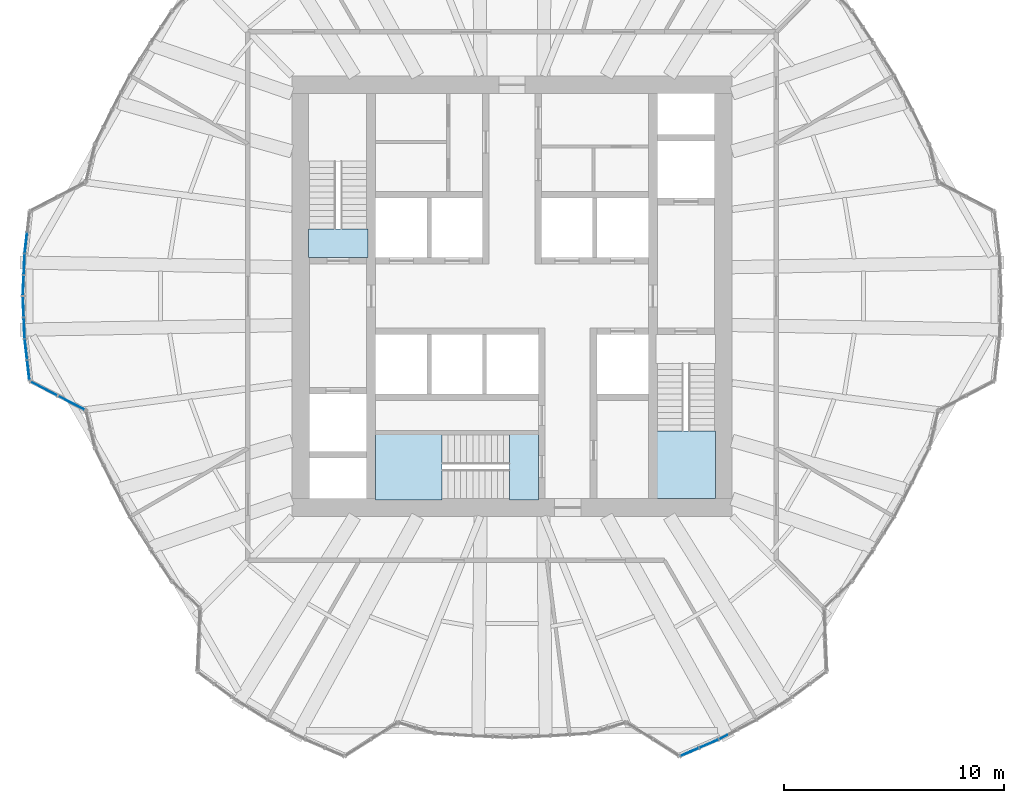
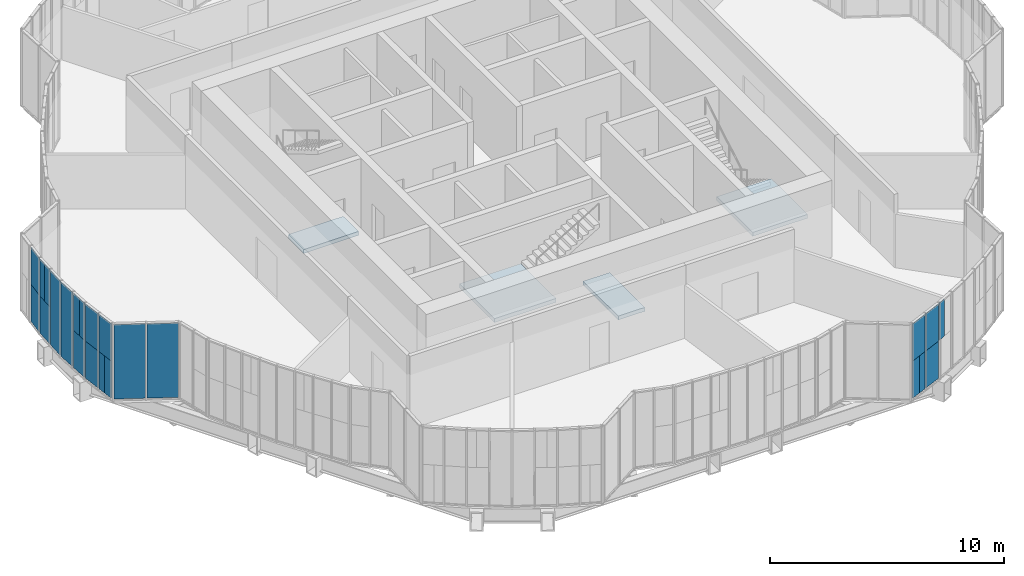
# One storey, part 14 of 24: 23 plates, 4 slabs, 9 elements without a shape of their own.
"""IFC4 building model written with IfcOpenShell, lengths in metres."""

import ifcopenshell
import ifcopenshell.guid

model = None  # the IFC model being written
_history = None  # IfcOwnerHistory: only IFC2X3 demands one
_inside = {}  # id of a spatial element -> (the spatial element, [elements in it])
_under = {}  # id of a project, library or spatial element -> (it, [spatial elements below it])
_declared = {}  # id of a project -> (the project, [libraries it declares])
_typed = {}  # id of a type object -> (the type object, [elements of that type])
_made_of = {}  # id of a material, layer set ... -> (it, [elements and type objects made of it])


def new_model(schema):
    """Start an empty IFC model of exactly this schema.

    Asked for "IFC4X3", IfcOpenShell would pick the latest addendum, in which some entities
    have other attributes; the version numbers below select the first issue.
    IFC2X3 requires an IfcOwnerHistory on every rooted entity: one is made here for all.
    """
    global model, _history
    if schema == "IFC4X3":
        model = ifcopenshell.file(schema_version=(4, 3, 0, 0))
    else:
        model = ifcopenshell.file(schema=schema)
    _inside.clear()
    _under.clear()
    _declared.clear()
    _typed.clear()
    _made_of.clear()
    _history = None
    if model.schema == "IFC2X3":
        org = make("IfcOrganization", Name="unknown")
        user = make(
            "IfcPersonAndOrganization",
            ThePerson=make("IfcPerson", FamilyName="unknown"),
            TheOrganization=org,
        )
        app = make(
            "IfcApplication",
            ApplicationDeveloper=org,
            Version="unknown",
            ApplicationFullName="unknown",
            ApplicationIdentifier="unknown",
        )
        _history = make(
            "IfcOwnerHistory",
            OwningUser=user,
            OwningApplication=app,
            ChangeAction="ADDED",
            CreationDate=0,
        )
    return model


def make(cls, **values):
    """One entity of the class cls with the attributes given. An attribute that is None is left unset."""
    return model.create_entity(
        cls, **{name: value for name, value in values.items() if value is not None}
    )


def rooted(cls, **values):
    """An entity with a GlobalId (a new one), such as an element, a storey or a relation."""
    return make(cls, GlobalId=ifcopenshell.guid.new(), OwnerHistory=_history, **values)


def si_unit(unit_type, name, prefix=None):
    """IfcSIUnit, for example si_unit("LENGTHUNIT", "METRE", prefix="MILLI")."""
    return make("IfcSIUnit", UnitType=unit_type, Prefix=prefix, Name=name)


def assignment(units):
    """IfcUnitAssignment: the units of a project."""
    return None if units is None else make("IfcUnitAssignment", Units=units)


def point(xyz):
    """IfcCartesianPoint."""
    return None if xyz is None else make("IfcCartesianPoint", Coordinates=xyz)


def direction(xyz):
    """IfcDirection."""
    return None if xyz is None else make("IfcDirection", DirectionRatios=xyz)


def frame(location, z_axis=None, x_axis=None):
    """IfcAxis2Placement3D, a coordinate frame: its origin and axes. An axis left out is left unset."""
    return make(
        "IfcAxis2Placement3D",
        Location=point(location),
        Axis=direction(z_axis),
        RefDirection=direction(x_axis),
    )


def frame_2d(location, x_axis=None):
    """IfcAxis2Placement2D, a coordinate frame in the plane: its origin and x axis."""
    return make(
        "IfcAxis2Placement2D", Location=point(location), RefDirection=direction(x_axis)
    )


def origin():
    """The frame at (0, 0, 0) with its axes left unset."""
    return frame((0.0, 0.0, 0.0))


def origin_2d():
    """The frame at (0, 0) in the plane with its x axis left unset."""
    return frame_2d((0.0, 0.0))


def place(relative_to, where):
    """IfcLocalPlacement: puts the frame where relative to a parent placement (None: the world)."""
    return make(
        "IfcLocalPlacement", PlacementRelTo=relative_to, RelativePlacement=where
    )


def context(
    kind, dimensions, precision=None, world=None, true_north=None, identifier=None
):
    """IfcGeometricRepresentationContext, for example the 3D "Model" context."""
    return make(
        "IfcGeometricRepresentationContext",
        ContextIdentifier=identifier,
        ContextType=kind,
        CoordinateSpaceDimension=dimensions,
        Precision=precision,
        WorldCoordinateSystem=world,
        TrueNorth=true_north,
    )


def subcontext(parent, identifier, kind, view, scale=None):
    """IfcGeometricRepresentationSubContext, for example "Body" below "Model"."""
    return make(
        "IfcGeometricRepresentationSubContext",
        ContextIdentifier=identifier,
        ContextType=kind,
        ParentContext=parent,
        TargetScale=scale,
        TargetView=view,
    )


def project(units=None, contexts=None):
    """IfcProject with its units and contexts."""
    return rooted(
        "IfcProject",
        Name="project",
        RepresentationContexts=contexts,
        UnitsInContext=assignment(units),
    )


def spatial(cls, under=None, at=None, **own):
    """A site, building, storey or space (cls), placed at a placement, below another one or the project."""
    s = rooted(cls, ObjectPlacement=at, **own)
    if under is not None:
        _under.setdefault(under.id(), (under, []))[1].append(s)
    return s


def polyline(points):
    """IfcPolyline through the points."""
    return make("IfcPolyline", Points=[point(p) for p in points])


def profile(cls, at=None, kind="AREA", **sizes):
    """A parametric profile (cls). Its sizes go by their IFC names, for example OverallWidth=200.0."""
    return make(cls, ProfileType=kind, Position=at, **sizes)


def rectangle(**sizes):
    """IfcRectangleProfileDef."""
    return profile("IfcRectangleProfileDef", **sizes)


def outline(outer, holes=None, kind="AREA"):
    """IfcArbitraryClosedProfileDef: a profile drawn as a closed curve; with holes, ...WithVoids."""
    if holes is None:
        return make("IfcArbitraryClosedProfileDef", ProfileType=kind, OuterCurve=outer)
    return make(
        "IfcArbitraryProfileDefWithVoids",
        ProfileType=kind,
        OuterCurve=outer,
        InnerCurves=holes,
    )


def extrude(swept, where, along, depth):
    """IfcExtrudedAreaSolid: the profile swept, set in the frame where, extruded along a direction by depth."""
    return make(
        "IfcExtrudedAreaSolid",
        SweptArea=swept,
        Position=where,
        ExtrudedDirection=direction(along),
        Depth=depth,
    )


def shape(context_of_items, identifier, shape_type, items):
    """IfcShapeRepresentation: the items that make up one representation, for example the "Body"."""
    return make(
        "IfcShapeRepresentation",
        ContextOfItems=context_of_items,
        RepresentationIdentifier=identifier,
        RepresentationType=shape_type,
        Items=items,
    )


def material(Name=None, Category=None):
    """IfcMaterial."""
    return make("IfcMaterial", Name=Name, Category=Category)


def layer(
    of_material, thickness, ventilated=None, Name=None, Category=None, Priority=None
):
    """IfcMaterialLayer: one layer of a wall or slab, of a material (None: an air gap)."""
    return make(
        "IfcMaterialLayer",
        Material=of_material,
        LayerThickness=thickness,
        IsVentilated=ventilated,
        Name=Name,
        Category=Category,
        Priority=Priority,
    )


def layer_set(layers, Name=None):
    """IfcMaterialLayerSet."""
    return make("IfcMaterialLayerSet", MaterialLayers=layers, LayerSetName=Name)


def made_of(thing, what):
    """Note that an element or type object is made of a material, layer set ...; save() writes the relation."""
    if what is not None:
        _made_of.setdefault(what.id(), (what, []))[1].append(thing)
    return thing


def type_object(cls, material=None, **own):
    """A type object (cls), such as IfcWallType, which elements share."""
    return made_of(rooted(cls, **own), material)


def element(
    cls,
    number,
    at=None,
    inside=None,
    cuts=None,
    type_object=None,
    material=None,
    context=None,
    identifier="Body",
    shape_type=None,
    held_by="IfcProductDefinitionShape",
    body=None,
    shapes=None,
    **own,
):
    """One element of the class cls, such as IfcWall. Its Tag is "e" and its number.

    at: its placement. inside: the storey or other place that contains it. cuts: it is an
    opening in that element (IfcRelVoidsElement). A single representation is given by context,
    identifier, shape_type and body (its items); several are given by shapes. held_by: the class
    of the entity that holds the representations. save() writes the other relations.
    """
    e = rooted(cls, Tag="e%d" % number, ObjectPlacement=at, **own)
    if body is not None:
        shapes = [shape(context, identifier, shape_type, body)]
    if shapes is not None:
        e.Representation = make(held_by, Representations=shapes)
    if inside is not None:
        _inside.setdefault(inside.id(), (inside, []))[1].append(e)
    if cuts is not None:
        rooted(
            "IfcRelVoidsElement", RelatingBuildingElement=cuts, RelatedOpeningElement=e
        )
    if type_object is not None:
        _typed.setdefault(type_object.id(), (type_object, []))[1].append(e)
    return made_of(e, material)


def aggregate(whole, parts):
    """IfcRelAggregates: a whole, such as a stair, and the parts it consists of."""
    return rooted("IfcRelAggregates", RelatingObject=whole, RelatedObjects=parts)


def save(model, path):
    """Write the relations noted so far, then the file.

    IfcRelAggregates (storeys below a building ...), IfcRelContainedInSpatialStructure (elements
    in a storey), IfcRelDefinesByType, IfcRelAssociatesMaterial and IfcRelDeclares: one each for
    every whole, place, type object, material and project.
    """
    for whole, parts in _under.values():
        aggregate(whole, parts)
    for where, things in _inside.values():
        rooted(
            "IfcRelContainedInSpatialStructure",
            RelatedElements=things,
            RelatingStructure=where,
        )
    for kind, things in _typed.values():
        rooted("IfcRelDefinesByType", RelatedObjects=things, RelatingType=kind)
    for what, things in _made_of.values():
        rooted("IfcRelAssociatesMaterial", RelatedObjects=things, RelatingMaterial=what)
    for by, libraries in _declared.values():
        rooted("IfcRelDeclares", RelatingContext=by, RelatedDefinitions=libraries)
    model.write(path)


model = new_model("IFC4")

# Units and contexts
model_context = context("Model", 3, precision=1e-05, world=origin(), true_north=direction((0.0, 1.0)))
body_context = subcontext(model_context, "Body", "Model", "MODEL_VIEW")
ifc_project = project(units=[si_unit("LENGTHUNIT", "METRE"), si_unit("AREAUNIT", "SQUARE_METRE"), si_unit("VOLUMEUNIT", "CUBIC_METRE"), si_unit("PLANEANGLEUNIT", "RADIAN"), si_unit("MASSUNIT", "GRAM", prefix="KILO")], contexts=[model_context])

# Site, building, storey
site_placement = place(None, origin())
site = spatial("IfcSite", under=ifc_project, at=site_placement, CompositionType="ELEMENT")
building_placement = place(site_placement, origin())
building = spatial("IfcBuilding", under=site, at=building_placement, Name="Golbaran Civic Tower", CompositionType="ELEMENT")
storey_placement = place(building_placement, frame((0.0, 0.0, 25.0)))
storey = spatial("IfcBuildingStorey", under=building, at=storey_placement, Name="L05", CompositionType="ELEMENT", Elevation=25.0)

# Curtain wall, plates
ifc_material_1 = material(Name="Aluminium and glass", Category="aluminium")
curtain_wall_type = type_object("IfcCurtainWallType", Name="INNER SKIN CURTAIN WALL", PredefinedType="NOTDEFINED", material=ifc_material_1)
curtain_wall_1_placement = place(storey_placement, origin())
curtain_wall_1 = element("IfcCurtainWall", 1, at=curtain_wall_1_placement, inside=storey, type_object=curtain_wall_type, Name="Inner skin L05 facet 36 CW1", ObjectType="INNER SKIN", PredefinedType="USERDEFINED")
ifc_material_2 = material(Name="Clear insulating glass", Category="glass")
ifc_layer_1 = layer(ifc_material_2, 0.031982421875, Name="Clear insulating glass")
ifc_layer_set_1 = layer_set([ifc_layer_1], Name="Clear insulating glass")
plate_type_1 = type_object("IfcPlateType", Name="INNER SKIN CURTAIN WALL GLAZED PANEL", PredefinedType="CURTAIN_PANEL", material=ifc_layer_set_1)
plate_1_placement = place(storey_placement, frame((-22.166259765625, 1.252685546875, 2.0), z_axis=(0.0, 0.0, 1.0), x_axis=(-0.043619387505, -0.999048221576, 0.0)))
plate_1 = element("IfcPlate", 2, at=plate_1_placement, type_object=plate_type_1, Name="CW1 panel 1.1 part 3", PredefinedType="CURTAIN_PANEL", context=body_context, shape_type="SweptSolid", body=[
    extrude(rectangle(XDim=0.504150390625, YDim=0.031982421875, at=origin_2d()), origin(), (0.0, 0.0, 1.0), 1.93505859375),
])
plate_2_placement = place(storey_placement, frame((-22.199951171875, 0.484130859375, 0.06494140625), z_axis=(0.0, 0.0, 1.0), x_axis=(-0.043619387505, -0.999048221576, 0.0)))
plate_2 = element("IfcPlate", 3, at=plate_2_placement, type_object=plate_type_1, Name="CW1 panel 2.1", PredefinedType="CURTAIN_PANEL", context=body_context, shape_type="SweptSolid", body=[
    extrude(rectangle(XDim=0.904296875, YDim=0.031982421875, at=origin_2d()), origin(), (0.0, 0.0, 1.0), 3.8701171875),
])

curtain_wall_2_placement = place(storey_placement, origin())
curtain_wall_2 = element("IfcCurtainWall", 4, at=curtain_wall_2_placement, inside=storey, type_object=curtain_wall_type, Name="Inner skin L05 facet 37 CW1", ObjectType="INNER SKIN", PredefinedType="USERDEFINED")
plate_3_placement = place(storey_placement, frame((-22.199951171875, -0.484130859375, 0.06494140625), z_axis=(0.0, 0.0, 1.0), x_axis=(0.043619387505, -0.999048221576, 0.0)))
plate_3 = element("IfcPlate", 5, at=plate_3_placement, type_object=plate_type_1, Name="CW1 panel 1.1", PredefinedType="CURTAIN_PANEL", context=body_context, shape_type="SweptSolid", body=[
    extrude(rectangle(XDim=0.904296875, YDim=0.031982421875, at=origin_2d()), origin(), (0.0, 0.0, 1.0), 3.8701171875),
])
plate_4_placement = place(storey_placement, frame((-22.166259765625, -1.251953125, 2.0), z_axis=(0.0, 0.0, 1.0), x_axis=(0.043619387505, -0.999048221576, 0.0)))
plate_4 = element("IfcPlate", 6, at=plate_4_placement, type_object=plate_type_1, Name="CW1 panel 2.1 part 2", PredefinedType="CURTAIN_PANEL", context=body_context, shape_type="SweptSolid", body=[
    extrude(rectangle(XDim=0.5029296875, YDim=0.031982421875, at=origin_2d()), origin(), (0.0, 0.0, 1.0), 1.93505859375),
])

# Curtain wall, plate
curtain_wall_3_placement = place(storey_placement, origin())
curtain_wall_3 = element("IfcCurtainWall", 7, at=curtain_wall_3_placement, inside=storey, type_object=curtain_wall_type, Name="Inner skin L05 facet 38 CW1", ObjectType="INNER SKIN", PredefinedType="USERDEFINED")
plate_5_placement = place(storey_placement, frame((-21.948486328125, -3.565185546875, 0.06494140625), z_axis=(0.0, 0.0, 1.0), x_axis=(0.114683042492, -0.993402133964, 0.0)))
plate_5 = element("IfcPlate", 8, at=plate_5_placement, type_object=plate_type_1, Name="CW1 panel 2.1 part 2", PredefinedType="CURTAIN_PANEL", context=body_context, shape_type="SweptSolid", body=[
    extrude(rectangle(XDim=0.4716796875, YDim=0.031982421875, at=origin_2d()), origin(), (0.0, 0.0, 1.0), 1.93505859375),
])

# Curtain wall, plates
curtain_wall_4_placement = place(storey_placement, origin())
curtain_wall_4 = element("IfcCurtainWall", 9, at=curtain_wall_4_placement, inside=storey, type_object=curtain_wall_type, Name="Inner skin L05 facet 39 CW1", ObjectType="INNER SKIN", PredefinedType="USERDEFINED")
plate_6_placement = place(storey_placement, frame((-21.261962890625, -4.20263671875, 0.06494140625), z_axis=(0.0, 0.0, 1.0), x_axis=(0.887428658411, -0.460945090256, 0.0)))
plate_6 = element("IfcPlate", 10, at=plate_6_placement, type_object=plate_type_1, Name="CW1 panel 1.1", PredefinedType="CURTAIN_PANEL", context=body_context, shape_type="SweptSolid", body=[
    extrude(rectangle(XDim=1.33935546875, YDim=0.031982421875, at=origin_2d()), origin(), (0.0, 0.0, 1.0), 3.8701171875),
])
plate_7_placement = place(storey_placement, frame((-20.015869140625, -4.849853515625, 0.06494140625), z_axis=(0.0, 0.0, 1.0), x_axis=(0.887428658411, -0.460945090256, 0.0)))
plate_7 = element("IfcPlate", 11, at=plate_7_placement, type_object=plate_type_1, Name="CW1 panel 2.1", PredefinedType="CURTAIN_PANEL", context=body_context, shape_type="SweptSolid", body=[
    extrude(rectangle(XDim=1.33935546875, YDim=0.031982421875, at=origin_2d()), origin(), (0.0, 0.0, 1.0), 3.8701171875),
])
aggregate(curtain_wall_4, [plate_6, plate_7])

# Curtain wall, plate
curtain_wall_5_placement = place(storey_placement, origin())
curtain_wall_5 = element("IfcCurtainWall", 12, at=curtain_wall_5_placement, inside=storey, type_object=curtain_wall_type, Name="Inner skin L05 facet 59 CW1", ObjectType="INNER SKIN", PredefinedType="USERDEFINED")
plate_8_placement = place(storey_placement, frame((7.886474609375, -20.79052734375, 0.06494140625), z_axis=(0.0, 0.0, 1.0), x_axis=(0.917653005474, 0.397382638705, 0.0)))
plate_8 = element("IfcPlate", 13, at=plate_8_placement, type_object=plate_type_1, Name="CW1 panel 1.1 part 1", PredefinedType="CURTAIN_PANEL", context=body_context, shape_type="SweptSolid", body=[
    extrude(rectangle(XDim=0.470947265625, YDim=0.031982421875, at=origin_2d()), origin(), (0.0, 0.0, 1.0), 1.93505859375),
])

# Curtain wall, plates
curtain_wall_6_placement = place(storey_placement, origin())
curtain_wall_6 = element("IfcCurtainWall", 14, at=curtain_wall_6_placement, inside=storey, type_object=curtain_wall_type, Name="Inner skin L05 facet 35 CW1", ObjectType="INNER SKIN", PredefinedType="USERDEFINED")
ifc_material_3 = material(Name="Aluminium faced opaque infill panel", Category="aluminium")
ifc_layer_2 = layer(ifc_material_3, 0.031982421875, Name="Aluminium faced opaque infill panel")
ifc_layer_set_2 = layer_set([ifc_layer_2], Name="Aluminium faced opaque infill panel")
plate_type_2 = type_object("IfcPlateType", Name="INNER SKIN CURTAIN WALL OPAQUE INFILL PANEL", PredefinedType="CURTAIN_PANEL", material=ifc_layer_set_2)
plate_9_placement = place(storey_placement, frame((-22.080810546875, 2.41845703125, 0.06494140625), z_axis=(0.0, 0.0, 1.0), x_axis=(-0.114683042492, -0.993402133964, 0.0)))
plate_9 = element("IfcPlate", 15, at=plate_9_placement, type_object=plate_type_2, Name="CW1 infill panel 2.1 part 1", PredefinedType="CURTAIN_PANEL", context=body_context, shape_type="SweptSolid", body=[
    extrude(rectangle(XDim=0.905029296875, YDim=0.031982421875, at=origin_2d()), origin(), (0.0, 0.0, 1.0), 1.93505859375),
])
plate_10_placement = place(storey_placement, frame((-22.080810546875, 2.41845703125, 2.0), z_axis=(0.0, 0.0, 1.0), x_axis=(-0.114683042492, -0.993402133964, 0.0)))
plate_10 = element("IfcPlate", 16, at=plate_10_placement, type_object=plate_type_2, Name="CW1 infill panel 2.1 part 2", PredefinedType="CURTAIN_PANEL", context=body_context, shape_type="SweptSolid", body=[
    extrude(rectangle(XDim=0.905029296875, YDim=0.031982421875, at=origin_2d()), origin(), (0.0, 0.0, 1.0), 1.93505859375),
])
aggregate(curtain_wall_6, [plate_9, plate_10])

# Plate
plate_11_placement = place(storey_placement, frame((-22.157470703125, 1.45263671875, 0.06494140625), z_axis=(0.0, 0.0, 1.0), x_axis=(-0.043619387505, -0.999048221576, 0.0)))
plate_11 = element("IfcPlate", 17, at=plate_11_placement, type_object=plate_type_2, Name="CW1 infill panel 1.1 part 1", PredefinedType="CURTAIN_PANEL", context=body_context, shape_type="SweptSolid", body=[
    extrude(rectangle(XDim=0.904296875, YDim=0.031982421875, at=origin_2d()), origin(), (0.0, 0.0, 1.0), 1.93505859375),
])

plate_12_placement = place(storey_placement, frame((-22.146484375, 1.704345703125, 2.0), z_axis=(0.0, 0.0, 1.0), x_axis=(-0.043619387505, -0.999048221576, 0.0)))
plate_12 = element("IfcPlate", 18, at=plate_12_placement, type_object=plate_type_2, Name="CW1 infill panel 1.1 part 2", PredefinedType="CURTAIN_PANEL", context=body_context, shape_type="SweptSolid", body=[
    extrude(rectangle(XDim=0.39990234375, YDim=0.031982421875, at=origin_2d()), origin(), (0.0, 0.0, 1.0), 1.93505859375),
])

aggregate(curtain_wall_1, [plate_11, plate_12, plate_1, plate_2])

plate_13_placement = place(storey_placement, frame((-22.157470703125, -1.45263671875, 0.06494140625), z_axis=(0.0, 0.0, 1.0), x_axis=(0.043619387505, -0.999048221576, 0.0)))
plate_13 = element("IfcPlate", 19, at=plate_13_placement, type_object=plate_type_2, Name="CW1 infill panel 2.1 part 1", PredefinedType="CURTAIN_PANEL", context=body_context, shape_type="SweptSolid", body=[
    extrude(rectangle(XDim=0.904296875, YDim=0.031982421875, at=origin_2d()), origin(), (0.0, 0.0, 1.0), 1.93505859375),
])

plate_14_placement = place(storey_placement, frame((-22.146728515625, -1.703857421875, 2.0), z_axis=(0.0, 0.0, 1.0), x_axis=(0.043619387505, -0.999048221576, 0.0)))
plate_14 = element("IfcPlate", 20, at=plate_14_placement, type_object=plate_type_2, Name="CW1 infill panel 2.1 part 3", PredefinedType="CURTAIN_PANEL", context=body_context, shape_type="SweptSolid", body=[
    extrude(rectangle(XDim=0.4013671875, YDim=0.031982421875, at=origin_2d()), origin(), (0.0, 0.0, 1.0), 1.93505859375),
])

aggregate(curtain_wall_2, [plate_3, plate_13, plate_4, plate_14])

plate_15_placement = place(storey_placement, frame((-22.080810546875, -2.41845703125, 0.06494140625), z_axis=(0.0, 0.0, 1.0), x_axis=(0.114683042492, -0.993402133964, 0.0)))
plate_15 = element("IfcPlate", 21, at=plate_15_placement, type_object=plate_type_2, Name="CW1 infill panel 1.1 part 1", PredefinedType="CURTAIN_PANEL", context=body_context, shape_type="SweptSolid", body=[
    extrude(rectangle(XDim=0.905029296875, YDim=0.031982421875, at=origin_2d()), origin(), (0.0, 0.0, 1.0), 1.93505859375),
])

plate_16_placement = place(storey_placement, frame((-22.080810546875, -2.41845703125, 2.0), z_axis=(0.0, 0.0, 1.0), x_axis=(0.114683042492, -0.993402133964, 0.0)))
plate_16 = element("IfcPlate", 22, at=plate_16_placement, type_object=plate_type_2, Name="CW1 infill panel 1.1 part 2", PredefinedType="CURTAIN_PANEL", context=body_context, shape_type="SweptSolid", body=[
    extrude(rectangle(XDim=0.905029296875, YDim=0.031982421875, at=origin_2d()), origin(), (0.0, 0.0, 1.0), 1.93505859375),
])

plate_17_placement = place(storey_placement, frame((-21.99853515625, -3.1318359375, 0.06494140625), z_axis=(0.0, 0.0, 1.0), x_axis=(0.114683042492, -0.993402133964, 0.0)))
plate_17 = element("IfcPlate", 23, at=plate_17_placement, type_object=plate_type_2, Name="CW1 infill panel 2.1 part 1", PredefinedType="CURTAIN_PANEL", context=body_context, shape_type="SweptSolid", body=[
    extrude(rectangle(XDim=0.40087890625, YDim=0.031982421875, at=origin_2d()), origin(), (0.0, 0.0, 1.0), 1.93505859375),
])

plate_18_placement = place(storey_placement, frame((-21.971435546875, -3.365966796875, 2.0), z_axis=(0.0, 0.0, 1.0), x_axis=(0.114683042492, -0.993402133964, 0.0)))
plate_18 = element("IfcPlate", 24, at=plate_18_placement, type_object=plate_type_2, Name="CW1 infill panel 2.1 part 3", PredefinedType="CURTAIN_PANEL", context=body_context, shape_type="SweptSolid", body=[
    extrude(rectangle(XDim=0.87255859375, YDim=0.031982421875, at=origin_2d()), origin(), (0.0, 0.0, 1.0), 1.93505859375),
])

aggregate(curtain_wall_3, [plate_15, plate_16, plate_17, plate_5, plate_18])

plate_19_placement = place(storey_placement, frame((8.286865234375, -20.6171875, 0.06494140625), z_axis=(0.0, 0.0, 1.0), x_axis=(0.917653005474, 0.397382638705, 0.0)))
plate_19 = element("IfcPlate", 25, at=plate_19_placement, type_object=plate_type_2, Name="CW1 infill panel 1.1 part 2", PredefinedType="CURTAIN_PANEL", context=body_context, shape_type="SweptSolid", body=[
    extrude(rectangle(XDim=0.401611328125, YDim=0.031982421875, at=origin_2d()), origin(), (0.0, 0.0, 1.0), 1.93505859375),
])

plate_20_placement = place(storey_placement, frame((8.070556640625, -20.7109375, 2.0), z_axis=(0.0, 0.0, 1.0), x_axis=(0.917653005474, 0.397382638705, 0.0)))
plate_20 = element("IfcPlate", 26, at=plate_20_placement, type_object=plate_type_2, Name="CW1 infill panel 1.1 part 3", PredefinedType="CURTAIN_PANEL", context=body_context, shape_type="SweptSolid", body=[
    extrude(rectangle(XDim=0.87255859375, YDim=0.031982421875, at=origin_2d()), origin(), (0.0, 0.0, 1.0), 1.93505859375),
])

plate_21_placement = place(storey_placement, frame((8.94580078125, -20.331787109375, 0.06494140625), z_axis=(0.0, 0.0, 1.0), x_axis=(0.917653005474, 0.397382638705, 0.0)))
plate_21 = element("IfcPlate", 27, at=plate_21_placement, type_object=plate_type_2, Name="CW1 infill panel 2.1 part 1", PredefinedType="CURTAIN_PANEL", context=body_context, shape_type="SweptSolid", body=[
    extrude(rectangle(XDim=0.905029296875, YDim=0.031982421875, at=origin_2d()), origin(), (0.0, 0.0, 1.0), 1.93505859375),
])

plate_22_placement = place(storey_placement, frame((8.94580078125, -20.331787109375, 2.0), z_axis=(0.0, 0.0, 1.0), x_axis=(0.917653005474, 0.397382638705, 0.0)))
plate_22 = element("IfcPlate", 28, at=plate_22_placement, type_object=plate_type_2, Name="CW1 infill panel 2.1 part 2", PredefinedType="CURTAIN_PANEL", context=body_context, shape_type="SweptSolid", body=[
    extrude(rectangle(XDim=0.905029296875, YDim=0.031982421875, at=origin_2d()), origin(), (0.0, 0.0, 1.0), 1.93505859375),
])

aggregate(curtain_wall_5, [plate_8, plate_19, plate_20, plate_21, plate_22])

# Curtain wall, plate
curtain_wall_7_placement = place(storey_placement, origin())
curtain_wall_7 = element("IfcCurtainWall", 29, at=curtain_wall_7_placement, inside=storey, type_object=curtain_wall_type, Name="Inner skin L05 facet 60 CW1", ObjectType="INNER SKIN", PredefinedType="USERDEFINED")
plate_23_placement = place(storey_placement, frame((9.59716796875, -20.03173828125, 2.0), z_axis=(0.0, 0.0, 1.0), x_axis=(0.887010833033, 0.461748613514, 0.0)))
plate_23 = element("IfcPlate", 30, at=plate_23_placement, type_object=plate_type_2, Name="CW1 infill panel 1.1 part 2", PredefinedType="CURTAIN_PANEL", context=body_context, shape_type="SweptSolid", body=[
    extrude(rectangle(XDim=0.39990234375, YDim=0.031982421875, at=origin_2d()), origin(), (0.0, 0.0, 1.0), 1.93505859375),
])
aggregate(curtain_wall_7, [plate_23])

# Slab
ifc_material_4 = material(Name="Concrete C35/45", Category="concrete")
ifc_layer_3 = layer(ifc_material_4, 0.199951171875, Name="Concrete C35/45")
ifc_layer_set_3 = layer_set([ifc_layer_3], Name="Concrete C35/45")
slab_type = type_object("IfcSlabType", Name="STAIR LANDING 200", PredefinedType="LANDING", material=ifc_layer_set_3)
slab_1_placement = place(storey_placement, frame((0.0, 0.0, -0.199951171875)))
element("IfcSlab", 31, at=slab_1_placement, inside=storey, type_object=slab_type, Name="Stair S1 floor landing L05", PredefinedType="LANDING", context=body_context, shape_type="SweptSolid", body=[
    extrude(outline(polyline([(-9.25, 1.75), (-9.25, 3.054931640625), (-6.550048828125, 3.054931640625), (-6.550048828125, 1.75), (-9.25, 1.75)])), origin(), (0.0, 0.0, 1.0), 0.199951171875),
])

# Stair, slab
stair_type_1 = type_object("IfcStairType", Name="EXIT STAIR 2600 x 7450, 4000 RISE", PredefinedType="HALF_TURN_STAIR", material=ifc_material_4)
stair_1_placement = place(storey_placement, origin())
stair_1 = element("IfcStair", 32, at=stair_1_placement, inside=storey, type_object=stair_type_1, Name="Stair S2 L05", PredefinedType="HALF_TURN_STAIR")
slab_2_placement = place(storey_placement, frame((0.0, 0.0, 1.800048828125)))
slab_2 = element("IfcSlab", 33, at=slab_2_placement, type_object=slab_type, Name="ST26074-40 landing 1", PredefinedType="LANDING", context=body_context, shape_type="SweptSolid", body=[
    extrude(outline(polyline([(9.25, -6.125), (9.25, -9.199951171875), (6.550048828125, -9.199951171875), (6.550048828125, -6.125), (9.25, -6.125)])), origin(), (0.0, 0.0, 1.0), 0.199951171875),
])
aggregate(stair_1, [slab_2])

stair_type_2 = type_object("IfcStairType", Name="EXIT STAIR 2900 x 7400, 4000 RISE", PredefinedType="HALF_TURN_STAIR", material=ifc_material_4)
stair_2_placement = place(storey_placement, origin())
stair_2 = element("IfcStair", 34, at=stair_2_placement, inside=storey, type_object=stair_type_2, Name="Stair S3 L05", PredefinedType="HALF_TURN_STAIR")
slab_3_placement = place(storey_placement, frame((0.0, 0.0, 1.800048828125)))
slab_3 = element("IfcSlab", 35, at=slab_3_placement, type_object=slab_type, Name="ST29074-40 landing 1", PredefinedType="LANDING", context=body_context, shape_type="SweptSolid", body=[
    extrude(outline(polyline([(-3.175048828125, -9.25), (-6.199951171875, -9.25), (-6.199951171875, -6.25), (-3.175048828125, -6.25), (-3.175048828125, -9.25)])), origin(), (0.0, 0.0, 1.0), 0.199951171875),
])
aggregate(stair_2, [slab_3])

# Slab
slab_4_placement = place(storey_placement, frame((0.0, 0.0, -0.199951171875)))
element("IfcSlab", 36, at=slab_4_placement, inside=storey, type_object=slab_type, Name="Stair S3 floor landing L05", PredefinedType="LANDING", context=body_context, shape_type="SweptSolid", body=[
    extrude(outline(polyline([(1.199951171875, -9.25), (-0.10498046875, -9.25), (-0.10498046875, -6.25), (1.199951171875, -6.25), (1.199951171875, -9.25)])), origin(), (0.0, 0.0, 1.0), 0.199951171875),
])

save(model, "model.ifc")
